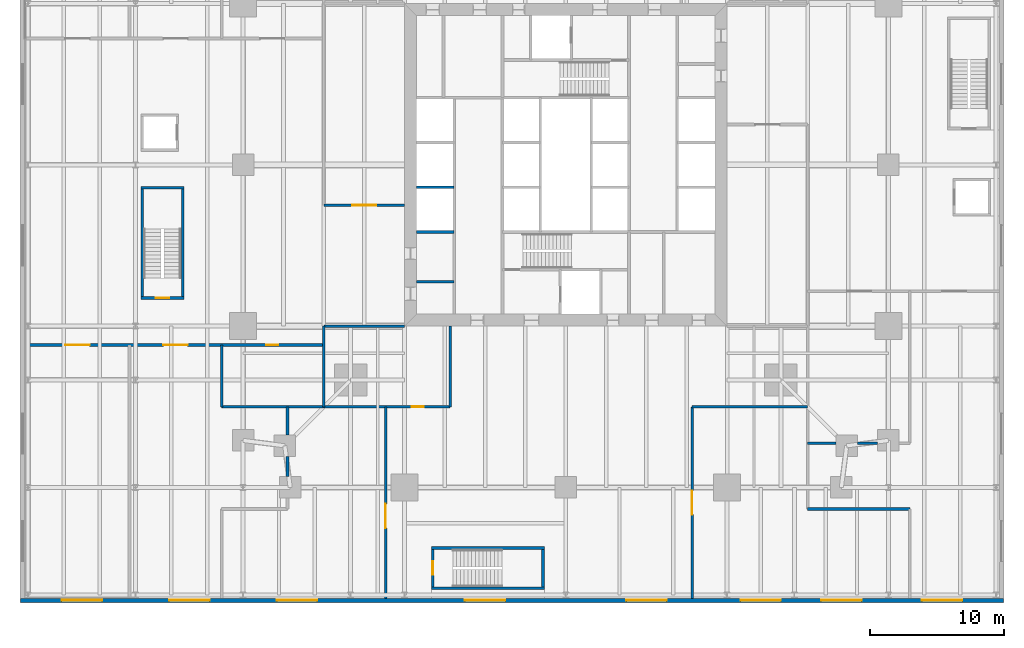
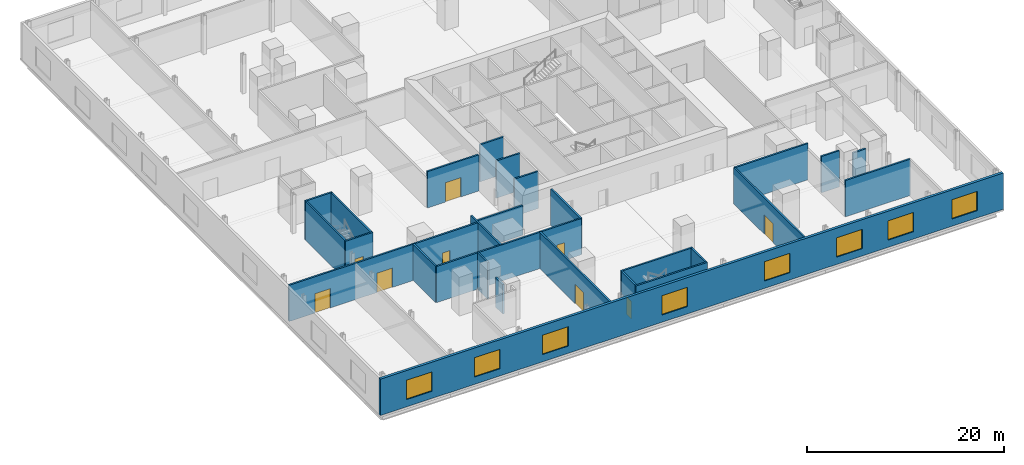
# One storey, part 9 of 16: 27 walls, 9 doors, 8 windows, 17 openings.
"""IFC4 building model written with IfcOpenShell, lengths in metres."""

from ifc_helpers import new_model, si_unit, direction, frame, frame_2d, origin, place, context, subcontext, project, spatial, rectangle, extrude, material, layer, layer_set, type_object, element, fill, save


model = new_model("IFC4")

# Units and contexts
model_context = context("Model", 3, precision=1e-05, world=origin(), true_north=direction((0.0, 1.0)))
body_context = subcontext(model_context, "Body", "Model", "MODEL_VIEW")
ifc_project = project(units=[si_unit("LENGTHUNIT", "METRE"), si_unit("AREAUNIT", "SQUARE_METRE"), si_unit("VOLUMEUNIT", "CUBIC_METRE"), si_unit("PLANEANGLEUNIT", "RADIAN"), si_unit("MASSUNIT", "GRAM", prefix="KILO")], contexts=[model_context])

# Site, building, storey
site_placement = place(None, origin())
site = spatial("IfcSite", under=ifc_project, at=site_placement, CompositionType="ELEMENT")
building_placement = place(site_placement, origin())
building = spatial("IfcBuilding", under=site, at=building_placement, Name="Fenwick Lantern Interchange", CompositionType="ELEMENT")
storey_placement = place(building_placement, frame((0.0, 0.0, 16.60009765625)))
storey = spatial("IfcBuildingStorey", under=building, at=storey_placement, Name="L03", CompositionType="ELEMENT", Elevation=16.60009765625)

# Walls
ifc_material_1 = material(Name="Concrete masonry ASTM C90 Grade N", Category="masonry")
ifc_layer_1 = layer(ifc_material_1, 0.199951171875)
ifc_layer_set_1 = layer_set([ifc_layer_1], Name="Concrete masonry ASTM C90 Grade N")
wall_type_1 = type_object("IfcWallType", Name="CORE PARTITION 200", PredefinedType="PARTITIONING", material=ifc_layer_set_1)
for number, where, z_axis, x_axis, name in (
    (1, (13.89990234375, 20.0, 0.0), (0.0, 0.0, 1.0), (1.0, 0.0, 0.0), "L03/W/CORES/c2"),
    (2, (13.89990234375, 23.333251953125, 0.0), (0.0, 0.0, 1.0), (1.0, 0.0, 0.0), "L03/W/CORES/d1"),
    (3, (13.89990234375, 16.300048828125, 0.0), (0.0, 0.0, 1.0), (1.0, 0.0, 0.0), "L03/W/CORES/p1"),
):
    element("IfcWall", number, at=place(storey_placement, frame(where, z_axis=z_axis, x_axis=x_axis)), inside=storey, type_object=wall_type_1, Name=name, PredefinedType="PARTITIONING", context=body_context, shape_type="SweptSolid", body=[
        extrude(rectangle(XDim=2.800048828125, YDim=0.199951171875, at=frame_2d((1.39990234375, 0.0))), origin(), (0.0, 0.0, 1.0), 4.599853515625),
    ])

# Wall, openings, windows
ifc_material_2 = material(Name="Limestone ASTM C568 Classification II", Category="masonry")
ifc_layer_2 = layer(ifc_material_2, 0.074951171875)
ifc_material_3 = material(Name="Mineral wool insulation")
ifc_layer_3 = layer(ifc_material_3, 0.125)
ifc_material_4 = material(Name="Cold-formed galvanised steel studs", Category="steel")
ifc_layer_4 = layer(ifc_material_4, 0.10009765625)
ifc_layer_set_2 = layer_set([ifc_layer_2, ifc_layer_3, ifc_layer_4], Name="Limestone ASTM C568 Classification II")
wall_type_2 = type_object("IfcWallType", Name="LIMESTONE RAINSCREEN WALL 300", PredefinedType="SOLIDWALL", material=ifc_layer_set_2)
wall_1_placement = place(storey_placement, frame((-15.550048828125, -7.39990234375, 0.0), z_axis=(0.0, 0.0, 1.0), x_axis=(1.0, 0.0, 0.0)))
wall_1 = element("IfcWall", 4, at=wall_1_placement, inside=storey, type_object=wall_type_2, Name="L03/EW/S", PredefinedType="SOLIDWALL", context=body_context, shape_type="SweptSolid", body=[
    extrude(rectangle(XDim=73.10009765625, YDim=0.300048828125, at=frame_2d((36.550048828125, 0.0))), origin(), (0.0, 0.0, 1.0), 4.5),
])
opening_1_placement = place(wall_1_placement, frame((3.050048828125, 0.0, 0.89990234375)))
opening_1 = element("IfcOpeningElement", 5, at=opening_1_placement, cuts=wall_1, Name="Opening W1", PredefinedType="OPENING", context=body_context, shape_type="SweptSolid", body=[
    extrude(rectangle(XDim=3.0, YDim=2.39990234375, at=frame_2d((1.5, 1.199951171875))), frame((0.0, 0.159912109375, 0.0), z_axis=(0.0, -1.0, 0.0), x_axis=(1.0, 0.0, 0.0)), (0.0, 0.0, 1.0), 0.320068359375),
])
opening_2_placement = place(wall_1_placement, frame((11.050048828125, 0.0, 0.89990234375)))
opening_2 = element("IfcOpeningElement", 6, at=opening_2_placement, cuts=wall_1, Name="Opening W1", PredefinedType="OPENING", context=body_context, shape_type="SweptSolid", body=[
    extrude(rectangle(XDim=3.0, YDim=2.39990234375, at=frame_2d((1.5, 1.199951171875))), frame((0.0, 0.159912109375, 0.0), z_axis=(0.0, -1.0, 0.0), x_axis=(1.0, 0.0, 0.0)), (0.0, 0.0, 1.0), 0.320068359375),
])
opening_3_placement = place(wall_1_placement, frame((19.050048828125, 0.0, 0.89990234375)))
opening_3 = element("IfcOpeningElement", 7, at=opening_3_placement, cuts=wall_1, Name="Opening W1", PredefinedType="OPENING", context=body_context, shape_type="SweptSolid", body=[
    extrude(rectangle(XDim=3.0, YDim=2.39990234375, at=frame_2d((1.5, 1.199951171875))), frame((0.0, 0.159912109375, 0.0), z_axis=(0.0, -1.0, 0.0), x_axis=(1.0, 0.0, 0.0)), (0.0, 0.0, 1.0), 0.320068359375),
])
opening_4_placement = place(wall_1_placement, frame((33.050048828125, 0.0, 0.89990234375)))
opening_4 = element("IfcOpeningElement", 8, at=opening_4_placement, cuts=wall_1, Name="Opening W1", PredefinedType="OPENING", context=body_context, shape_type="SweptSolid", body=[
    extrude(rectangle(XDim=3.0, YDim=2.39990234375, at=frame_2d((1.5, 1.199951171875))), frame((0.0, 0.159912109375, 0.0), z_axis=(0.0, -1.0, 0.0), x_axis=(1.0, 0.0, 0.0)), (0.0, 0.0, 1.0), 0.320068359375),
])
opening_5_placement = place(wall_1_placement, frame((45.050048828125, 0.0, 0.89990234375)))
opening_5 = element("IfcOpeningElement", 9, at=opening_5_placement, cuts=wall_1, Name="Opening W1", PredefinedType="OPENING", context=body_context, shape_type="SweptSolid", body=[
    extrude(rectangle(XDim=3.0, YDim=2.39990234375, at=frame_2d((1.5, 1.199951171875))), frame((0.0, 0.159912109375, 0.0), z_axis=(0.0, -1.0, 0.0), x_axis=(1.0, 0.0, 0.0)), (0.0, 0.0, 1.0), 0.320068359375),
])
opening_6_placement = place(wall_1_placement, frame((53.550048828125, 0.0, 0.89990234375)))
opening_6 = element("IfcOpeningElement", 10, at=opening_6_placement, cuts=wall_1, Name="Opening W1", PredefinedType="OPENING", context=body_context, shape_type="SweptSolid", body=[
    extrude(rectangle(XDim=3.0, YDim=2.39990234375, at=frame_2d((1.5, 1.199951171875))), frame((0.0, 0.159912109375, 0.0), z_axis=(0.0, -1.0, 0.0), x_axis=(1.0, 0.0, 0.0)), (0.0, 0.0, 1.0), 0.320068359375),
])
opening_7_placement = place(wall_1_placement, frame((59.550048828125, 0.0, 0.89990234375)))
opening_7 = element("IfcOpeningElement", 11, at=opening_7_placement, cuts=wall_1, Name="Opening W1", PredefinedType="OPENING", context=body_context, shape_type="SweptSolid", body=[
    extrude(rectangle(XDim=3.0, YDim=2.39990234375, at=frame_2d((1.5, 1.199951171875))), frame((0.0, 0.159912109375, 0.0), z_axis=(0.0, -1.0, 0.0), x_axis=(1.0, 0.0, 0.0)), (0.0, 0.0, 1.0), 0.320068359375),
])
opening_8_placement = place(wall_1_placement, frame((67.050048828125, 0.0, 0.89990234375)))
opening_8 = element("IfcOpeningElement", 12, at=opening_8_placement, cuts=wall_1, Name="Opening W1", PredefinedType="OPENING", context=body_context, shape_type="SweptSolid", body=[
    extrude(rectangle(XDim=3.0, YDim=2.39990234375, at=frame_2d((1.5, 1.199951171875))), frame((0.0, 0.159912109375, 0.0), z_axis=(0.0, -1.0, 0.0), x_axis=(1.0, 0.0, 0.0)), (0.0, 0.0, 1.0), 0.320068359375),
])
ifc_material_5 = material(Name="Aluminium window, clear glass", Category="aluminium")
window_type = type_object("IfcWindowType", Name="PODIUM WINDOW 3000 X 2400", PartitioningType="SINGLE_PANEL", PredefinedType="WINDOW", material=ifc_material_5)
window_1_placement = place(opening_1_placement, origin())
window_1 = element("IfcWindow", 13, at=window_1_placement, inside=storey, type_object=window_type, Name="Podium window", OverallHeight=2.39990234375, OverallWidth=3.0, PartitioningType="SINGLE_PANEL", PredefinedType="WINDOW", context=body_context, shape_type="SweptSolid", body=[
    extrude(rectangle(XDim=3.0, YDim=2.39990234375, at=frame_2d((1.5, 1.199951171875))), frame((0.0, 0.030029296875, 0.0), z_axis=(0.0, -1.0, 0.0), x_axis=(1.0, 0.0, 0.0)), (0.0, 0.0, 1.0), 0.06005859375),
])
fill(opening_1, window_1)
window_2_placement = place(opening_2_placement, origin())
window_2 = element("IfcWindow", 14, at=window_2_placement, inside=storey, type_object=window_type, Name="Podium window", OverallHeight=2.39990234375, OverallWidth=3.0, PartitioningType="SINGLE_PANEL", PredefinedType="WINDOW", context=body_context, shape_type="SweptSolid", body=[
    extrude(rectangle(XDim=3.0, YDim=2.39990234375, at=frame_2d((1.5, 1.199951171875))), frame((0.0, 0.030029296875, 0.0), z_axis=(0.0, -1.0, 0.0), x_axis=(1.0, 0.0, 0.0)), (0.0, 0.0, 1.0), 0.06005859375),
])
fill(opening_2, window_2)
window_3_placement = place(opening_3_placement, origin())
window_3 = element("IfcWindow", 15, at=window_3_placement, inside=storey, type_object=window_type, Name="Podium window", OverallHeight=2.39990234375, OverallWidth=3.0, PartitioningType="SINGLE_PANEL", PredefinedType="WINDOW", context=body_context, shape_type="SweptSolid", body=[
    extrude(rectangle(XDim=3.0, YDim=2.39990234375, at=frame_2d((1.5, 1.199951171875))), frame((0.0, 0.030029296875, 0.0), z_axis=(0.0, -1.0, 0.0), x_axis=(1.0, 0.0, 0.0)), (0.0, 0.0, 1.0), 0.06005859375),
])
fill(opening_3, window_3)
window_4_placement = place(opening_4_placement, origin())
window_4 = element("IfcWindow", 16, at=window_4_placement, inside=storey, type_object=window_type, Name="Podium window", OverallHeight=2.39990234375, OverallWidth=3.0, PartitioningType="SINGLE_PANEL", PredefinedType="WINDOW", context=body_context, shape_type="SweptSolid", body=[
    extrude(rectangle(XDim=3.0, YDim=2.39990234375, at=frame_2d((1.5, 1.199951171875))), frame((0.0, 0.030029296875, 0.0), z_axis=(0.0, -1.0, 0.0), x_axis=(1.0, 0.0, 0.0)), (0.0, 0.0, 1.0), 0.06005859375),
])
fill(opening_4, window_4)
window_5_placement = place(opening_5_placement, origin())
window_5 = element("IfcWindow", 17, at=window_5_placement, inside=storey, type_object=window_type, Name="Podium window", OverallHeight=2.39990234375, OverallWidth=3.0, PartitioningType="SINGLE_PANEL", PredefinedType="WINDOW", context=body_context, shape_type="SweptSolid", body=[
    extrude(rectangle(XDim=3.0, YDim=2.39990234375, at=frame_2d((1.5, 1.199951171875))), frame((0.0, 0.030029296875, 0.0), z_axis=(0.0, -1.0, 0.0), x_axis=(1.0, 0.0, 0.0)), (0.0, 0.0, 1.0), 0.06005859375),
])
fill(opening_5, window_5)
window_6_placement = place(opening_6_placement, origin())
window_6 = element("IfcWindow", 18, at=window_6_placement, inside=storey, type_object=window_type, Name="Podium window", OverallHeight=2.39990234375, OverallWidth=3.0, PartitioningType="SINGLE_PANEL", PredefinedType="WINDOW", context=body_context, shape_type="SweptSolid", body=[
    extrude(rectangle(XDim=3.0, YDim=2.39990234375, at=frame_2d((1.5, 1.199951171875))), frame((0.0, 0.030029296875, 0.0), z_axis=(0.0, -1.0, 0.0), x_axis=(1.0, 0.0, 0.0)), (0.0, 0.0, 1.0), 0.06005859375),
])
fill(opening_6, window_6)
window_7_placement = place(opening_7_placement, origin())
window_7 = element("IfcWindow", 19, at=window_7_placement, inside=storey, type_object=window_type, Name="Podium window", OverallHeight=2.39990234375, OverallWidth=3.0, PartitioningType="SINGLE_PANEL", PredefinedType="WINDOW", context=body_context, shape_type="SweptSolid", body=[
    extrude(rectangle(XDim=3.0, YDim=2.39990234375, at=frame_2d((1.5, 1.199951171875))), frame((0.0, 0.030029296875, 0.0), z_axis=(0.0, -1.0, 0.0), x_axis=(1.0, 0.0, 0.0)), (0.0, 0.0, 1.0), 0.06005859375),
])
fill(opening_7, window_7)
window_8_placement = place(opening_8_placement, origin())
window_8 = element("IfcWindow", 20, at=window_8_placement, inside=storey, type_object=window_type, Name="Podium window", OverallHeight=2.39990234375, OverallWidth=3.0, PartitioningType="SINGLE_PANEL", PredefinedType="WINDOW", context=body_context, shape_type="SweptSolid", body=[
    extrude(rectangle(XDim=3.0, YDim=2.39990234375, at=frame_2d((1.5, 1.199951171875))), frame((0.0, 0.030029296875, 0.0), z_axis=(0.0, -1.0, 0.0), x_axis=(1.0, 0.0, 0.0)), (0.0, 0.0, 1.0), 0.06005859375),
])
fill(opening_8, window_8)

# Walls
ifc_material_6 = material(Name="Gypsum board on steel studs, 1 hour", Category="steel")
ifc_layer_5 = layer(ifc_material_6, 0.199951171875)
ifc_layer_set_3 = layer_set([ifc_layer_5], Name="ROOM WALL 200")
wall_type_3 = type_object("IfcWallType", Name="ROOM WALL 200", PredefinedType="PARTITIONING", material=ifc_layer_set_3)
wall_2_placement = place(storey_placement, frame((-0.60009765625, 7.0, 0.0), z_axis=(0.0, 0.0, 1.0), x_axis=(0.0, 1.0, 0.0)))
element("IfcWall", 21, at=wall_2_placement, inside=storey, type_object=wall_type_3, Name="L03/W/POD/X-0.6-2", PredefinedType="PARTITIONING", context=body_context, shape_type="SweptSolid", body=[
    extrude(rectangle(XDim=4.60009765625, YDim=0.199951171875, at=frame_2d((2.300048828125, 0.0))), origin(), (0.0, 0.0, 1.0), 4.5),
])
wall_3_placement = place(storey_placement, frame((4.300048828125, 1.800048828125, 0.0), z_axis=(0.0, 0.0, 1.0), x_axis=(0.0, 1.0, 0.0)))
element("IfcWall", 22, at=wall_3_placement, inside=storey, type_object=wall_type_3, Name="L03/W/POD/X4.3-2", PredefinedType="PARTITIONING", context=body_context, shape_type="SweptSolid", body=[
    extrude(rectangle(XDim=1.5, YDim=0.199951171875, at=frame_2d((0.75, 0.0))), origin(), (0.0, 0.0, 1.0), 3.64990234375),
])
wall_4_placement = place(storey_placement, frame((4.300048828125, 4.89990234375, 0.0), z_axis=(0.0, 0.0, 1.0), x_axis=(0.0, 1.0, 0.0)))
element("IfcWall", 23, at=wall_4_placement, inside=storey, type_object=wall_type_3, Name="L03/W/POD/X4.3-3", PredefinedType="PARTITIONING", context=body_context, shape_type="SweptSolid", body=[
    extrude(rectangle(XDim=2.10009765625, YDim=0.199951171875, at=frame_2d((1.050048828125, 0.0))), origin(), (0.0, 0.0, 1.0), 4.5),
])
wall_5_placement = place(storey_placement, frame((7.0, 7.0, 0.0), z_axis=(0.0, 0.0, 1.0), x_axis=(0.0, 1.0, 0.0)))
element("IfcWall", 24, at=wall_5_placement, inside=storey, type_object=wall_type_3, Name="L03/W/POD/X7-1", PredefinedType="PARTITIONING", context=body_context, shape_type="SweptSolid", body=[
    extrude(rectangle(XDim=6.0, YDim=0.199951171875, at=frame_2d((3.0, 0.0))), origin(), (0.0, 0.0, 1.0), 4.5),
])

# Wall, opening, door
wall_6_placement = place(storey_placement, frame((11.60009765625, -7.25, 0.0), z_axis=(0.0, 0.0, 1.0), x_axis=(0.0, 1.0, 0.0)))
wall_6 = element("IfcWall", 25, at=wall_6_placement, inside=storey, type_object=wall_type_3, Name="L03/W/POD/X11.6-1", PredefinedType="PARTITIONING", context=body_context, shape_type="SweptSolid", body=[
    extrude(rectangle(XDim=14.25, YDim=0.199951171875, at=frame_2d((7.125, 0.0))), origin(), (0.0, 0.0, 1.0), 4.5),
])
opening_9_placement = place(wall_6_placement, frame((5.22509765625, 0.0, 0.0)))
opening_9 = element("IfcOpeningElement", 26, at=opening_9_placement, cuts=wall_6, Name="Opening L03-D021", PredefinedType="OPENING", context=body_context, shape_type="SweptSolid", body=[
    extrude(rectangle(XDim=1.800048828125, YDim=2.39990234375, at=frame_2d((0.89990234375, 1.199951171875))), frame((0.0, 0.10986328125, 0.0), z_axis=(0.0, -1.0, 0.0), x_axis=(1.0, 0.0, 0.0)), (0.0, 0.0, 1.0), 0.219970703125),
])
ifc_material_7 = material(Name="Steel door and frame", Category="steel")
door_type_1 = type_object("IfcDoorType", Name="ROOM DOOR PAIR 1800 X 2400", OperationType="DOUBLE_DOOR_SINGLE_SWING", PredefinedType="DOOR", material=ifc_material_7)
door_1_placement = place(opening_9_placement, frame((1.800048828125, 0.0, 0.0), z_axis=(0.0, 0.0, 1.0), x_axis=(-1.0, 0.0, 0.0)))
door_1 = element("IfcDoor", 27, at=door_1_placement, inside=storey, type_object=door_type_1, Name="Room door pair", OperationType="DOUBLE_DOOR_SINGLE_SWING", OverallHeight=2.39990234375, OverallWidth=1.800048828125, PredefinedType="DOOR", context=body_context, shape_type="SweptSolid", body=[
    extrude(rectangle(XDim=1.800048828125, YDim=2.39990234375, at=frame_2d((0.89990234375, 1.199951171875))), frame((0.0, 0.02490234375, 0.0), z_axis=(0.0, -1.0, 0.0), x_axis=(1.0, 0.0, 0.0)), (0.0, 0.0, 1.0), 0.050048828125),
])
fill(opening_9, door_1)

# Wall
wall_7_placement = place(storey_placement, frame((16.39990234375, 7.0, 0.0), z_axis=(0.0, 0.0, 1.0), x_axis=(0.0, 1.0, 0.0)))
element("IfcWall", 28, at=wall_7_placement, inside=storey, type_object=wall_type_3, Name="L03/W/POD/X16.4-1", PredefinedType="PARTITIONING", context=body_context, shape_type="SweptSolid", body=[
    extrude(rectangle(XDim=6.0, YDim=0.199951171875, at=frame_2d((3.0, 0.0))), origin(), (0.0, 0.0, 1.0), 4.5),
])

# Wall, opening, door
wall_8_placement = place(storey_placement, frame((34.39990234375, -7.25, 0.0), z_axis=(0.0, 0.0, 1.0), x_axis=(0.0, 1.0, 0.0)))
wall_8 = element("IfcWall", 29, at=wall_8_placement, inside=storey, type_object=wall_type_3, Name="L03/W/POD/X34.4-1", PredefinedType="PARTITIONING", context=body_context, shape_type="SweptSolid", body=[
    extrude(rectangle(XDim=14.25, YDim=0.199951171875, at=frame_2d((7.125, 0.0))), origin(), (0.0, 0.0, 1.0), 4.5),
])
opening_10_placement = place(wall_8_placement, frame((6.22509765625, 0.0, 0.0)))
opening_10 = element("IfcOpeningElement", 30, at=opening_10_placement, cuts=wall_8, Name="Opening L03-D025", PredefinedType="OPENING", context=body_context, shape_type="SweptSolid", body=[
    extrude(rectangle(XDim=1.800048828125, YDim=2.39990234375, at=frame_2d((0.89990234375, 1.199951171875))), frame((0.0, 0.10986328125, 0.0), z_axis=(0.0, -1.0, 0.0), x_axis=(1.0, 0.0, 0.0)), (0.0, 0.0, 1.0), 0.219970703125),
])
door_2_placement = place(opening_10_placement, origin())
door_2 = element("IfcDoor", 31, at=door_2_placement, inside=storey, type_object=door_type_1, Name="Room door pair", OperationType="DOUBLE_DOOR_SINGLE_SWING", OverallHeight=2.39990234375, OverallWidth=1.800048828125, PredefinedType="DOOR", context=body_context, shape_type="SweptSolid", body=[
    extrude(rectangle(XDim=1.800048828125, YDim=2.39990234375, at=frame_2d((0.89990234375, 1.199951171875))), frame((0.0, 0.02490234375, 0.0), z_axis=(0.0, -1.0, 0.0), x_axis=(1.0, 0.0, 0.0)), (0.0, 0.0, 1.0), 0.050048828125),
])
fill(opening_10, door_2)

# Walls
wall_9_placement = place(storey_placement, frame((43.0, -0.60009765625, 0.0), z_axis=(0.0, 0.0, 1.0), x_axis=(1.0, 0.0, 0.0)))
element("IfcWall", 32, at=wall_9_placement, inside=storey, type_object=wall_type_3, Name="L03/W/POD/Y-0.6-2", PredefinedType="PARTITIONING", context=body_context, shape_type="SweptSolid", body=[
    extrude(rectangle(XDim=7.60009765625, YDim=0.199951171875, at=frame_2d((3.800048828125, 0.0))), origin(), (0.0, 0.0, 1.0), 4.5),
])
wall_10_placement = place(storey_placement, frame((43.0, 4.300048828125, 0.0), z_axis=(0.0, 0.0, 1.0), x_axis=(1.0, 0.0, 0.0)))
element("IfcWall", 33, at=wall_10_placement, inside=storey, type_object=wall_type_3, Name="L03/W/POD/Y4.3-1", PredefinedType="PARTITIONING", context=body_context, shape_type="SweptSolid", body=[
    extrude(rectangle(XDim=2.10009765625, YDim=0.199951171875, at=frame_2d((1.050048828125, 0.0))), origin(), (0.0, 0.0, 1.0), 4.5),
])
wall_11_placement = place(storey_placement, frame((46.699951171875, 4.300048828125, 0.0), z_axis=(0.0, 0.0, 1.0), x_axis=(1.0, 0.0, 0.0)))
element("IfcWall", 34, at=wall_11_placement, inside=storey, type_object=wall_type_3, Name="L03/W/POD/Y4.3-2", PredefinedType="PARTITIONING", context=body_context, shape_type="SweptSolid", body=[
    extrude(rectangle(XDim=1.5, YDim=0.199951171875, at=frame_2d((0.75, 0.0))), origin(), (0.0, 0.0, 1.0), 3.64990234375),
])

# Wall, opening, door
wall_12_placement = place(storey_placement, frame((-0.60009765625, 7.0, 0.0), z_axis=(0.0, 0.0, 1.0), x_axis=(1.0, 0.0, 0.0)))
wall_12 = element("IfcWall", 35, at=wall_12_placement, inside=storey, type_object=wall_type_3, Name="L03/W/POD/Y7-1", PredefinedType="PARTITIONING", context=body_context, shape_type="SweptSolid", body=[
    extrude(rectangle(XDim=17.0, YDim=0.199951171875, at=frame_2d((8.5, 0.0))), origin(), (0.0, 0.0, 1.0), 4.5),
])
opening_11_placement = place(wall_12_placement, frame((14.125, 0.0, 0.0)))
opening_11 = element("IfcOpeningElement", 36, at=opening_11_placement, cuts=wall_12, Name="Opening L03-D038", PredefinedType="OPENING", context=body_context, shape_type="SweptSolid", body=[
    extrude(rectangle(XDim=0.89990234375, YDim=2.199951171875, at=frame_2d((0.449951171875, 1.10009765625))), frame((0.0, 0.10986328125, 0.0), z_axis=(0.0, -1.0, 0.0), x_axis=(1.0, 0.0, 0.0)), (0.0, 0.0, 1.0), 0.219970703125),
])
ifc_material_8 = material(Name="Hardwood door and steel frame", Category="steel")
door_type_2 = type_object("IfcDoorType", Name="OFFICE DOOR 900 X 2200", OperationType="SINGLE_SWING_LEFT", PredefinedType="DOOR", material=ifc_material_8)
door_3_placement = place(opening_11_placement, origin())
door_3 = element("IfcDoor", 37, at=door_3_placement, inside=storey, type_object=door_type_2, Name="Office door", OperationType="SINGLE_SWING_RIGHT", OverallHeight=2.199951171875, OverallWidth=0.89990234375, PredefinedType="DOOR", context=body_context, shape_type="SweptSolid", body=[
    extrude(rectangle(XDim=0.89990234375, YDim=2.199951171875, at=frame_2d((0.449951171875, 1.10009765625))), frame((0.0, 0.02490234375, 0.0), z_axis=(0.0, -1.0, 0.0), x_axis=(1.0, 0.0, 0.0)), (0.0, 0.0, 1.0), 0.050048828125),
])
fill(opening_11, door_3)

# Wall
wall_13_placement = place(storey_placement, frame((34.39990234375, 7.0, 0.0), z_axis=(0.0, 0.0, 1.0), x_axis=(1.0, 0.0, 0.0)))
element("IfcWall", 38, at=wall_13_placement, inside=storey, type_object=wall_type_3, Name="L03/W/POD/Y7-2", PredefinedType="PARTITIONING", context=body_context, shape_type="SweptSolid", body=[
    extrude(rectangle(XDim=8.60009765625, YDim=0.199951171875, at=frame_2d((4.300048828125, 0.0))), origin(), (0.0, 0.0, 1.0), 4.5),
])

# Wall, openings, doors
wall_14_placement = place(storey_placement, frame((-15.25, 11.60009765625, 0.0), z_axis=(0.0, 0.0, 1.0), x_axis=(1.0, 0.0, 0.0)))
wall_14 = element("IfcWall", 39, at=wall_14_placement, inside=storey, type_object=wall_type_3, Name="L03/W/POD/Y11.6-1", PredefinedType="PARTITIONING", context=body_context, shape_type="SweptSolid", body=[
    extrude(rectangle(XDim=22.25, YDim=0.199951171875, at=frame_2d((11.125, 0.0))), origin(), (0.0, 0.0, 1.0), 4.5),
])
opening_12_placement = place(wall_14_placement, frame((10.324951171875, 0.0, 0.0)))
opening_12 = element("IfcOpeningElement", 40, at=opening_12_placement, cuts=wall_14, Name="Opening L03-D022", PredefinedType="OPENING", context=body_context, shape_type="SweptSolid", body=[
    extrude(rectangle(XDim=1.800048828125, YDim=2.39990234375, at=frame_2d((0.89990234375, 1.199951171875))), frame((0.0, 0.10986328125, 0.0), z_axis=(0.0, -1.0, 0.0), x_axis=(1.0, 0.0, 0.0)), (0.0, 0.0, 1.0), 0.219970703125),
])
opening_13_placement = place(wall_14_placement, frame((3.02490234375, 0.0, 0.0)))
opening_13 = element("IfcOpeningElement", 41, at=opening_13_placement, cuts=wall_14, Name="Opening L03-D023", PredefinedType="OPENING", context=body_context, shape_type="SweptSolid", body=[
    extrude(rectangle(XDim=1.800048828125, YDim=2.39990234375, at=frame_2d((0.89990234375, 1.199951171875))), frame((0.0, 0.10986328125, 0.0), z_axis=(0.0, -1.0, 0.0), x_axis=(1.0, 0.0, 0.0)), (0.0, 0.0, 1.0), 0.219970703125),
])
opening_14_placement = place(wall_14_placement, frame((17.97509765625, 0.0, 0.0)))
opening_14 = element("IfcOpeningElement", 42, at=opening_14_placement, cuts=wall_14, Name="Opening L03-D024", PredefinedType="OPENING", context=body_context, shape_type="SweptSolid", body=[
    extrude(rectangle(XDim=0.89990234375, YDim=2.199951171875, at=frame_2d((0.449951171875, 1.10009765625))), frame((0.0, 0.10986328125, 0.0), z_axis=(0.0, -1.0, 0.0), x_axis=(1.0, 0.0, 0.0)), (0.0, 0.0, 1.0), 0.219970703125),
])
door_4_placement = place(opening_14_placement, frame((0.89990234375, 0.0, 0.0), z_axis=(0.0, 0.0, 1.0), x_axis=(-1.0, 0.0, 0.0)))
door_4 = element("IfcDoor", 43, at=door_4_placement, inside=storey, type_object=door_type_2, Name="Office door", OperationType="SINGLE_SWING_RIGHT", OverallHeight=2.199951171875, OverallWidth=0.89990234375, PredefinedType="DOOR", context=body_context, shape_type="SweptSolid", body=[
    extrude(rectangle(XDim=0.89990234375, YDim=2.199951171875, at=frame_2d((0.449951171875, 1.10009765625))), frame((0.0, 0.02490234375, 0.0), z_axis=(0.0, -1.0, 0.0), x_axis=(1.0, 0.0, 0.0)), (0.0, 0.0, 1.0), 0.050048828125),
])
fill(opening_14, door_4)
door_5_placement = place(opening_12_placement, origin())
door_5 = element("IfcDoor", 44, at=door_5_placement, inside=storey, type_object=door_type_1, Name="Room door pair", OperationType="DOUBLE_DOOR_SINGLE_SWING", OverallHeight=2.39990234375, OverallWidth=1.800048828125, PredefinedType="DOOR", context=body_context, shape_type="SweptSolid", body=[
    extrude(rectangle(XDim=1.800048828125, YDim=2.39990234375, at=frame_2d((0.89990234375, 1.199951171875))), frame((0.0, 0.02490234375, 0.0), z_axis=(0.0, -1.0, 0.0), x_axis=(1.0, 0.0, 0.0)), (0.0, 0.0, 1.0), 0.050048828125),
])
fill(opening_12, door_5)
door_6_placement = place(opening_13_placement, origin())
door_6 = element("IfcDoor", 45, at=door_6_placement, inside=storey, type_object=door_type_1, Name="Room door pair", OperationType="DOUBLE_DOOR_SINGLE_SWING", OverallHeight=2.39990234375, OverallWidth=1.800048828125, PredefinedType="DOOR", context=body_context, shape_type="SweptSolid", body=[
    extrude(rectangle(XDim=1.800048828125, YDim=2.39990234375, at=frame_2d((0.89990234375, 1.199951171875))), frame((0.0, 0.02490234375, 0.0), z_axis=(0.0, -1.0, 0.0), x_axis=(1.0, 0.0, 0.0)), (0.0, 0.0, 1.0), 0.050048828125),
])
fill(opening_13, door_6)

# Wall
wall_15_placement = place(storey_placement, frame((7.0, 13.0, 0.0), z_axis=(0.0, 0.0, 1.0), x_axis=(1.0, 0.0, 0.0)))
element("IfcWall", 46, at=wall_15_placement, inside=storey, type_object=wall_type_3, Name="L03/W/POD/Y13-1", PredefinedType="PARTITIONING", context=body_context, shape_type="SweptSolid", body=[
    extrude(rectangle(XDim=6.0, YDim=0.199951171875, at=frame_2d((3.0, 0.0))), origin(), (0.0, 0.0, 1.0), 3.652587890625),
])

# Wall, opening, door
wall_16_placement = place(storey_placement, frame((7.0, 22.0, 0.0), z_axis=(0.0, 0.0, 1.0), x_axis=(1.0, 0.0, 0.0)))
wall_16 = element("IfcWall", 47, at=wall_16_placement, inside=storey, type_object=wall_type_3, Name="L03/W/POD/Y22-1", PredefinedType="PARTITIONING", context=body_context, shape_type="SweptSolid", body=[
    extrude(rectangle(XDim=6.0, YDim=0.199951171875, at=frame_2d((3.0, 0.0))), origin(), (0.0, 0.0, 1.0), 4.5),
])
opening_15_placement = place(wall_16_placement, frame((2.099853515625, 0.0, 0.0)))
opening_15 = element("IfcOpeningElement", 48, at=opening_15_placement, cuts=wall_16, Name="Opening L03-D036", PredefinedType="OPENING", context=body_context, shape_type="SweptSolid", body=[
    extrude(rectangle(XDim=1.800048828125, YDim=2.39990234375, at=frame_2d((0.89990234375, 1.199951171875))), frame((0.0, 0.10986328125, 0.0), z_axis=(0.0, -1.0, 0.0), x_axis=(1.0, 0.0, 0.0)), (0.0, 0.0, 1.0), 0.219970703125),
])
door_7_placement = place(opening_15_placement, frame((1.800048828125, 0.0, 0.0), z_axis=(0.0, 0.0, 1.0), x_axis=(-1.0, 0.0, 0.0)))
door_7 = element("IfcDoor", 49, at=door_7_placement, inside=storey, type_object=door_type_1, Name="Room door pair", OperationType="DOUBLE_DOOR_SINGLE_SWING", OverallHeight=2.39990234375, OverallWidth=1.800048828125, PredefinedType="DOOR", context=body_context, shape_type="SweptSolid", body=[
    extrude(rectangle(XDim=1.800048828125, YDim=2.39990234375, at=frame_2d((0.89990234375, 1.199951171875))), frame((0.0, 0.02490234375, 0.0), z_axis=(0.0, -1.0, 0.0), x_axis=(1.0, 0.0, 0.0)), (0.0, 0.0, 1.0), 0.050048828125),
])
fill(opening_15, door_7)

# Walls
ifc_material_9 = material(Name="Reinforced concrete masonry ASTM C90 Grade N", Category="masonry")
ifc_layer_6 = layer(ifc_material_9, 0.199951171875)
ifc_layer_set_4 = layer_set([ifc_layer_6], Name="Reinforced concrete masonry ASTM C90 Grade N")
wall_type_4 = type_object("IfcWallType", Name="STAIR ENCLOSURE 200", PredefinedType="SOLIDWALL", material=ifc_layer_set_4)
wall_17_placement = place(storey_placement, frame((15.0, -6.5, 0.0), z_axis=(0.0, 0.0, 1.0), x_axis=(1.0, 0.0, 0.0)))
element("IfcWall", 50, at=wall_17_placement, inside=storey, type_object=wall_type_4, Name="L03/W/PS2/S", PredefinedType="SOLIDWALL", context=body_context, shape_type="SweptSolid", body=[
    extrude(rectangle(XDim=8.39990234375, YDim=0.199951171875, at=frame_2d((4.199951171875, 0.0))), origin(), (0.0, 0.0, 1.0), 4.7998046875),
])
wall_18_placement = place(storey_placement, frame((23.300048828125, -6.39990234375, 0.0), z_axis=(0.0, 0.0, 1.0), x_axis=(0.0, 1.0, 0.0)))
element("IfcWall", 51, at=wall_18_placement, inside=storey, type_object=wall_type_4, Name="L03/W/PS2/E", PredefinedType="SOLIDWALL", context=body_context, shape_type="SweptSolid", body=[
    extrude(rectangle(XDim=2.7998046875, YDim=0.199951171875, at=frame_2d((1.39990234375, 0.0))), origin(), (0.0, 0.0, 1.0), 4.7998046875),
])
wall_19_placement = place(storey_placement, frame((23.39990234375, -3.5, 0.0), z_axis=(0.0, 0.0, 1.0), x_axis=(-1.0, 0.0, 0.0)))
element("IfcWall", 52, at=wall_19_placement, inside=storey, type_object=wall_type_4, Name="L03/W/PS2/N", PredefinedType="SOLIDWALL", context=body_context, shape_type="SweptSolid", body=[
    extrude(rectangle(XDim=8.39990234375, YDim=0.199951171875, at=frame_2d((4.199951171875, 0.0))), origin(), (0.0, 0.0, 1.0), 4.7998046875),
])

# Wall, opening, door
wall_20_placement = place(storey_placement, frame((15.10009765625, -3.60009765625, 0.0), z_axis=(0.0, 0.0, 1.0), x_axis=(0.0, -1.0, 0.0)))
wall_20 = element("IfcWall", 53, at=wall_20_placement, inside=storey, type_object=wall_type_4, Name="L03/W/PS2/W", PredefinedType="SOLIDWALL", context=body_context, shape_type="SweptSolid", body=[
    extrude(rectangle(XDim=2.7998046875, YDim=0.199951171875, at=frame_2d((1.39990234375, 0.0))), origin(), (0.0, 0.0, 1.0), 4.7998046875),
])
opening_16_placement = place(wall_20_placement, frame((0.89990234375, 0.0, 0.0)))
opening_16 = element("IfcOpeningElement", 54, at=opening_16_placement, cuts=wall_20, Name="Opening L03-D018", PredefinedType="OPENING", context=body_context, shape_type="SweptSolid", body=[
    extrude(rectangle(XDim=1.0, YDim=2.199951171875, at=frame_2d((0.5, 1.10009765625))), frame((0.0, 0.10986328125, 0.0), z_axis=(0.0, -1.0, 0.0), x_axis=(1.0, 0.0, 0.0)), (0.0, 0.0, 1.0), 0.219970703125),
])
door_type_3 = type_object("IfcDoorType", Name="STAIR DOOR 1000 X 2200", OperationType="SINGLE_SWING_LEFT", PredefinedType="DOOR", material=ifc_material_7)
door_8_placement = place(opening_16_placement, origin())
door_8 = element("IfcDoor", 55, at=door_8_placement, inside=storey, type_object=door_type_3, Name="Stair door", OperationType="SINGLE_SWING_LEFT", OverallHeight=2.199951171875, OverallWidth=1.0, PredefinedType="DOOR", context=body_context, shape_type="SweptSolid", body=[
    extrude(rectangle(XDim=1.0, YDim=2.199951171875, at=frame_2d((0.5, 1.10009765625))), frame((0.0, 0.02490234375, 0.0), z_axis=(0.0, -1.0, 0.0), x_axis=(1.0, 0.0, 0.0)), (0.0, 0.0, 1.0), 0.050048828125),
])
fill(opening_16, door_8)

wall_21_placement = place(storey_placement, frame((-6.60009765625, 15.10009765625, 0.0), z_axis=(0.0, 0.0, 1.0), x_axis=(1.0, 0.0, 0.0)))
wall_21 = element("IfcWall", 56, at=wall_21_placement, inside=storey, type_object=wall_type_4, Name="L03/W/PS3/S", PredefinedType="SOLIDWALL", context=body_context, shape_type="SweptSolid", body=[
    extrude(rectangle(XDim=3.2001953125, YDim=0.199951171875, at=frame_2d((1.60009765625, 0.0))), origin(), (0.0, 0.0, 1.0), 4.7998046875),
])
opening_17_placement = place(wall_21_placement, frame((1.10009765625, 0.0, 0.0)))
opening_17 = element("IfcOpeningElement", 57, at=opening_17_placement, cuts=wall_21, Name="Opening L03-D019", PredefinedType="OPENING", context=body_context, shape_type="SweptSolid", body=[
    extrude(rectangle(XDim=1.0, YDim=2.199951171875, at=frame_2d((0.5, 1.10009765625))), frame((0.0, 0.10986328125, 0.0), z_axis=(0.0, -1.0, 0.0), x_axis=(1.0, 0.0, 0.0)), (0.0, 0.0, 1.0), 0.219970703125),
])
door_9_placement = place(opening_17_placement, origin())
door_9 = element("IfcDoor", 58, at=door_9_placement, inside=storey, type_object=door_type_3, Name="Stair door", OperationType="SINGLE_SWING_LEFT", OverallHeight=2.199951171875, OverallWidth=1.0, PredefinedType="DOOR", context=body_context, shape_type="SweptSolid", body=[
    extrude(rectangle(XDim=1.0, YDim=2.199951171875, at=frame_2d((0.5, 1.10009765625))), frame((0.0, 0.02490234375, 0.0), z_axis=(0.0, -1.0, 0.0), x_axis=(1.0, 0.0, 0.0)), (0.0, 0.0, 1.0), 0.050048828125),
])
fill(opening_17, door_9)

# Walls
wall_22_placement = place(storey_placement, frame((-3.5, 15.199951171875, 0.0), z_axis=(0.0, 0.0, 1.0), x_axis=(0.0, 1.0, 0.0)))
element("IfcWall", 59, at=wall_22_placement, inside=storey, type_object=wall_type_4, Name="L03/W/PS3/E", PredefinedType="SOLIDWALL", context=body_context, shape_type="SweptSolid", body=[
    extrude(rectangle(XDim=8.0, YDim=0.199951171875, at=frame_2d((4.0, 0.0))), origin(), (0.0, 0.0, 1.0), 4.7998046875),
])
wall_23_placement = place(storey_placement, frame((-3.39990234375, 23.300048828125, 0.0), z_axis=(0.0, 0.0, 1.0), x_axis=(-1.0, 0.0, 0.0)))
element("IfcWall", 60, at=wall_23_placement, inside=storey, type_object=wall_type_4, Name="L03/W/PS3/N", PredefinedType="SOLIDWALL", context=body_context, shape_type="SweptSolid", body=[
    extrude(rectangle(XDim=3.2001953125, YDim=0.199951171875, at=frame_2d((1.60009765625, 0.0))), origin(), (0.0, 0.0, 1.0), 4.7998046875),
])
wall_24_placement = place(storey_placement, frame((-6.5, 23.199951171875, 0.0), z_axis=(0.0, 0.0, 1.0), x_axis=(0.0, -1.0, 0.0)))
element("IfcWall", 61, at=wall_24_placement, inside=storey, type_object=wall_type_4, Name="L03/W/PS3/W", PredefinedType="SOLIDWALL", context=body_context, shape_type="SweptSolid", body=[
    extrude(rectangle(XDim=8.0, YDim=0.199951171875, at=frame_2d((4.0, 0.0))), origin(), (0.0, 0.0, 1.0), 4.7998046875),
])

save(model, "model.ifc")
